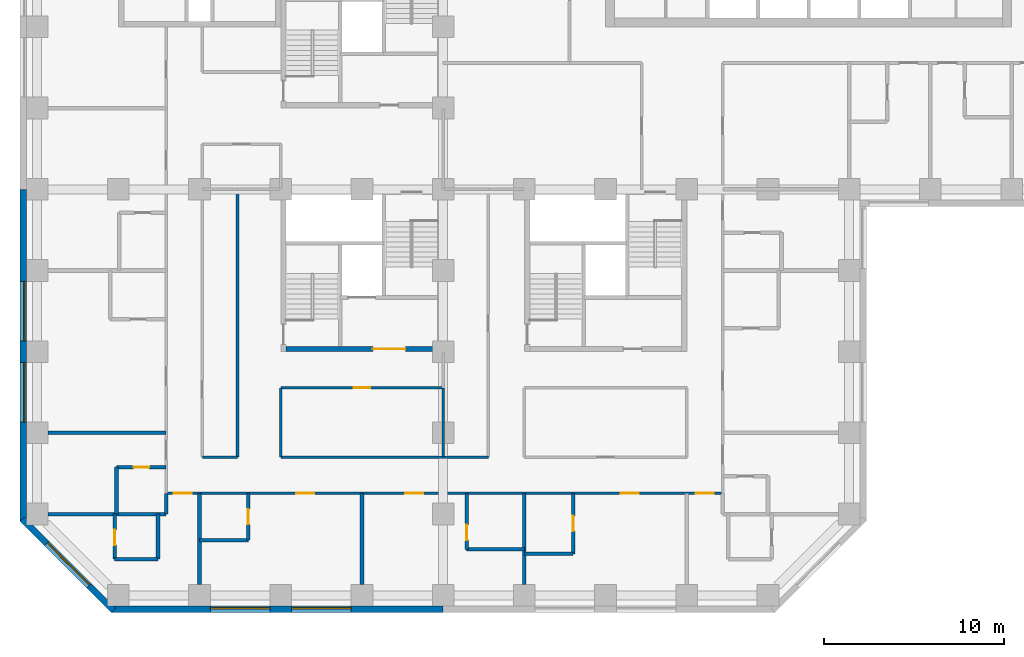
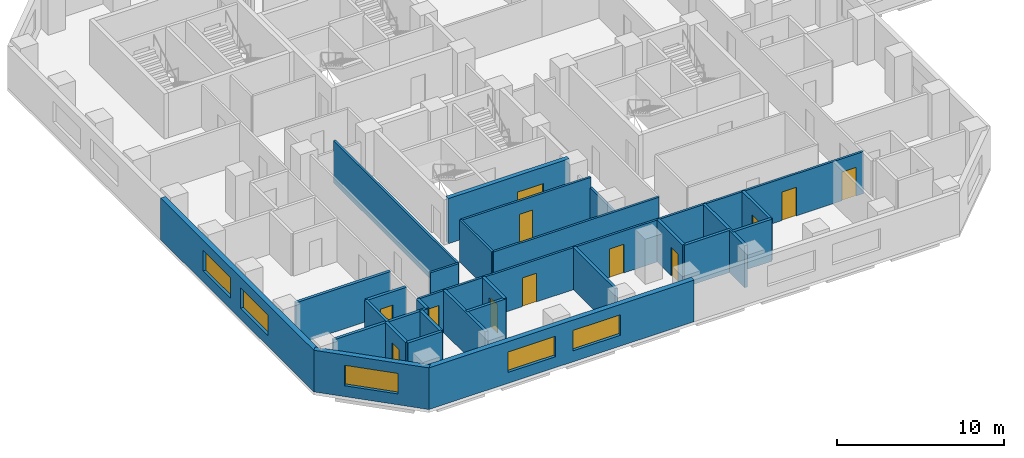
# One storey, part 2 of 12: 28 walls, 12 doors, 5 windows, 17 openings.
"""IFC4 building model written with IfcOpenShell, lengths in metres."""

import ifcopenshell
import ifcopenshell.guid

model = None  # the IFC model being written
_history = None  # IfcOwnerHistory: only IFC2X3 demands one
_inside = {}  # id of a spatial element -> (the spatial element, [elements in it])
_under = {}  # id of a project, library or spatial element -> (it, [spatial elements below it])
_declared = {}  # id of a project -> (the project, [libraries it declares])
_typed = {}  # id of a type object -> (the type object, [elements of that type])
_made_of = {}  # id of a material, layer set ... -> (it, [elements and type objects made of it])


def new_model(schema):
    """Start an empty IFC model of exactly this schema.

    Asked for "IFC4X3", IfcOpenShell would pick the latest addendum, in which some entities
    have other attributes; the version numbers below select the first issue.
    IFC2X3 requires an IfcOwnerHistory on every rooted entity: one is made here for all.
    """
    global model, _history
    if schema == "IFC4X3":
        model = ifcopenshell.file(schema_version=(4, 3, 0, 0))
    else:
        model = ifcopenshell.file(schema=schema)
    _inside.clear()
    _under.clear()
    _declared.clear()
    _typed.clear()
    _made_of.clear()
    _history = None
    if model.schema == "IFC2X3":
        org = make("IfcOrganization", Name="unknown")
        user = make(
            "IfcPersonAndOrganization",
            ThePerson=make("IfcPerson", FamilyName="unknown"),
            TheOrganization=org,
        )
        app = make(
            "IfcApplication",
            ApplicationDeveloper=org,
            Version="unknown",
            ApplicationFullName="unknown",
            ApplicationIdentifier="unknown",
        )
        _history = make(
            "IfcOwnerHistory",
            OwningUser=user,
            OwningApplication=app,
            ChangeAction="ADDED",
            CreationDate=0,
        )
    return model


def make(cls, **values):
    """One entity of the class cls with the attributes given. An attribute that is None is left unset."""
    return model.create_entity(
        cls, **{name: value for name, value in values.items() if value is not None}
    )


def rooted(cls, **values):
    """An entity with a GlobalId (a new one), such as an element, a storey or a relation."""
    return make(cls, GlobalId=ifcopenshell.guid.new(), OwnerHistory=_history, **values)


def si_unit(unit_type, name, prefix=None):
    """IfcSIUnit, for example si_unit("LENGTHUNIT", "METRE", prefix="MILLI")."""
    return make("IfcSIUnit", UnitType=unit_type, Prefix=prefix, Name=name)


def assignment(units):
    """IfcUnitAssignment: the units of a project."""
    return None if units is None else make("IfcUnitAssignment", Units=units)


def point(xyz):
    """IfcCartesianPoint."""
    return None if xyz is None else make("IfcCartesianPoint", Coordinates=xyz)


def direction(xyz):
    """IfcDirection."""
    return None if xyz is None else make("IfcDirection", DirectionRatios=xyz)


def frame(location, z_axis=None, x_axis=None):
    """IfcAxis2Placement3D, a coordinate frame: its origin and axes. An axis left out is left unset."""
    return make(
        "IfcAxis2Placement3D",
        Location=point(location),
        Axis=direction(z_axis),
        RefDirection=direction(x_axis),
    )


def frame_2d(location, x_axis=None):
    """IfcAxis2Placement2D, a coordinate frame in the plane: its origin and x axis."""
    return make(
        "IfcAxis2Placement2D", Location=point(location), RefDirection=direction(x_axis)
    )


def origin():
    """The frame at (0, 0, 0) with its axes left unset."""
    return frame((0.0, 0.0, 0.0))


def place(relative_to, where):
    """IfcLocalPlacement: puts the frame where relative to a parent placement (None: the world)."""
    return make(
        "IfcLocalPlacement", PlacementRelTo=relative_to, RelativePlacement=where
    )


def context(
    kind, dimensions, precision=None, world=None, true_north=None, identifier=None
):
    """IfcGeometricRepresentationContext, for example the 3D "Model" context."""
    return make(
        "IfcGeometricRepresentationContext",
        ContextIdentifier=identifier,
        ContextType=kind,
        CoordinateSpaceDimension=dimensions,
        Precision=precision,
        WorldCoordinateSystem=world,
        TrueNorth=true_north,
    )


def subcontext(parent, identifier, kind, view, scale=None):
    """IfcGeometricRepresentationSubContext, for example "Body" below "Model"."""
    return make(
        "IfcGeometricRepresentationSubContext",
        ContextIdentifier=identifier,
        ContextType=kind,
        ParentContext=parent,
        TargetScale=scale,
        TargetView=view,
    )


def project(units=None, contexts=None):
    """IfcProject with its units and contexts."""
    return rooted(
        "IfcProject",
        Name="project",
        RepresentationContexts=contexts,
        UnitsInContext=assignment(units),
    )


def spatial(cls, under=None, at=None, **own):
    """A site, building, storey or space (cls), placed at a placement, below another one or the project."""
    s = rooted(cls, ObjectPlacement=at, **own)
    if under is not None:
        _under.setdefault(under.id(), (under, []))[1].append(s)
    return s


def profile(cls, at=None, kind="AREA", **sizes):
    """A parametric profile (cls). Its sizes go by their IFC names, for example OverallWidth=200.0."""
    return make(cls, ProfileType=kind, Position=at, **sizes)


def rectangle(**sizes):
    """IfcRectangleProfileDef."""
    return profile("IfcRectangleProfileDef", **sizes)


def extrude(swept, where, along, depth):
    """IfcExtrudedAreaSolid: the profile swept, set in the frame where, extruded along a direction by depth."""
    return make(
        "IfcExtrudedAreaSolid",
        SweptArea=swept,
        Position=where,
        ExtrudedDirection=direction(along),
        Depth=depth,
    )


def shape(context_of_items, identifier, shape_type, items):
    """IfcShapeRepresentation: the items that make up one representation, for example the "Body"."""
    return make(
        "IfcShapeRepresentation",
        ContextOfItems=context_of_items,
        RepresentationIdentifier=identifier,
        RepresentationType=shape_type,
        Items=items,
    )


def material(Name=None, Category=None):
    """IfcMaterial."""
    return make("IfcMaterial", Name=Name, Category=Category)


def layer(
    of_material, thickness, ventilated=None, Name=None, Category=None, Priority=None
):
    """IfcMaterialLayer: one layer of a wall or slab, of a material (None: an air gap)."""
    return make(
        "IfcMaterialLayer",
        Material=of_material,
        LayerThickness=thickness,
        IsVentilated=ventilated,
        Name=Name,
        Category=Category,
        Priority=Priority,
    )


def layer_set(layers, Name=None):
    """IfcMaterialLayerSet."""
    return make("IfcMaterialLayerSet", MaterialLayers=layers, LayerSetName=Name)


def constituent(of_material, Name=None, Category=None, fraction=None):
    """IfcMaterialConstituent: one of the materials an element consists of."""
    return make(
        "IfcMaterialConstituent",
        Name=Name,
        Material=of_material,
        Fraction=fraction,
        Category=Category,
    )


def constituent_set(constituents=None, Name=None):
    """IfcMaterialConstituentSet."""
    return make(
        "IfcMaterialConstituentSet", Name=Name, MaterialConstituents=constituents
    )


def made_of(thing, what):
    """Note that an element or type object is made of a material, layer set ...; save() writes the relation."""
    if what is not None:
        _made_of.setdefault(what.id(), (what, []))[1].append(thing)
    return thing


def type_object(cls, material=None, **own):
    """A type object (cls), such as IfcWallType, which elements share."""
    return made_of(rooted(cls, **own), material)


def element(
    cls,
    number,
    at=None,
    inside=None,
    cuts=None,
    type_object=None,
    material=None,
    context=None,
    identifier="Body",
    shape_type=None,
    held_by="IfcProductDefinitionShape",
    body=None,
    shapes=None,
    **own,
):
    """One element of the class cls, such as IfcWall. Its Tag is "e" and its number.

    at: its placement. inside: the storey or other place that contains it. cuts: it is an
    opening in that element (IfcRelVoidsElement). A single representation is given by context,
    identifier, shape_type and body (its items); several are given by shapes. held_by: the class
    of the entity that holds the representations. save() writes the other relations.
    """
    e = rooted(cls, Tag="e%d" % number, ObjectPlacement=at, **own)
    if body is not None:
        shapes = [shape(context, identifier, shape_type, body)]
    if shapes is not None:
        e.Representation = make(held_by, Representations=shapes)
    if inside is not None:
        _inside.setdefault(inside.id(), (inside, []))[1].append(e)
    if cuts is not None:
        rooted(
            "IfcRelVoidsElement", RelatingBuildingElement=cuts, RelatedOpeningElement=e
        )
    if type_object is not None:
        _typed.setdefault(type_object.id(), (type_object, []))[1].append(e)
    return made_of(e, material)


def fill(opening, filler):
    """IfcRelFillsElement: the door or window that sits in an opening."""
    return rooted(
        "IfcRelFillsElement",
        RelatingOpeningElement=opening,
        RelatedBuildingElement=filler,
    )


def aggregate(whole, parts):
    """IfcRelAggregates: a whole, such as a stair, and the parts it consists of."""
    return rooted("IfcRelAggregates", RelatingObject=whole, RelatedObjects=parts)


def save(model, path):
    """Write the relations noted so far, then the file.

    IfcRelAggregates (storeys below a building ...), IfcRelContainedInSpatialStructure (elements
    in a storey), IfcRelDefinesByType, IfcRelAssociatesMaterial and IfcRelDeclares: one each for
    every whole, place, type object, material and project.
    """
    for whole, parts in _under.values():
        aggregate(whole, parts)
    for where, things in _inside.values():
        rooted(
            "IfcRelContainedInSpatialStructure",
            RelatedElements=things,
            RelatingStructure=where,
        )
    for kind, things in _typed.values():
        rooted("IfcRelDefinesByType", RelatedObjects=things, RelatingType=kind)
    for what, things in _made_of.values():
        rooted("IfcRelAssociatesMaterial", RelatedObjects=things, RelatingMaterial=what)
    for by, libraries in _declared.values():
        rooted("IfcRelDeclares", RelatingContext=by, RelatedDefinitions=libraries)
    model.write(path)


model = new_model("IFC4")

# Units and contexts
model_context = context("Model", 3, precision=1e-05, world=origin(), true_north=direction((0.0, 1.0)))
body_context = subcontext(model_context, "Body", "Model", "MODEL_VIEW")
ifc_project = project(units=[si_unit("LENGTHUNIT", "METRE"), si_unit("AREAUNIT", "SQUARE_METRE"), si_unit("VOLUMEUNIT", "CUBIC_METRE"), si_unit("PLANEANGLEUNIT", "RADIAN"), si_unit("MASSUNIT", "GRAM", prefix="KILO")], contexts=[model_context])

# Site, building, storey
site_placement = place(None, origin())
site = spatial("IfcSite", under=ifc_project, at=site_placement, CompositionType="ELEMENT")
building_placement = place(site_placement, origin())
building = spatial("IfcBuilding", under=site, at=building_placement, Name="Quoin Convention Tower", CompositionType="ELEMENT")
storey_placement = place(building_placement, frame((0.0, 0.0, 42.89990234375)))
storey = spatial("IfcBuildingStorey", under=building, at=storey_placement, Name="L10", CompositionType="ELEMENT", Elevation=42.89990234375)

# Wall, opening, window
ifc_material_1 = material(Name="Brick masonry", Category="masonry")
ifc_layer_1 = layer(ifc_material_1, 0.35009765625)
ifc_layer_set_1 = layer_set([ifc_layer_1], Name="Brick masonry")
wall_type_1 = type_object("IfcWallType", Name="Brick facade wall", PredefinedType="STANDARD", material=ifc_layer_set_1)
wall_1_placement = place(storey_placement, frame((12.673583984375, 22.230224609375, 0.0), z_axis=(0.0, 0.0, 1.0), x_axis=(0.707106781187, -0.707106781187, 0.0)))
wall_1 = element("IfcWall", 1, at=wall_1_placement, inside=storey, type_object=wall_type_1, Name="fw-L10-13500_22500", PredefinedType="STANDARD", context=body_context, shape_type="SweptSolid", body=[
    extrude(rectangle(XDim=7.151123046875, YDim=0.35009765625, at=frame_2d((3.57568359375, 0.0))), origin(), (0.0, 0.0, 1.0), 3.05517578125),
])
opening_1_placement = place(wall_1_placement, frame((1.925537109375, 0.0, 0.800048828125)))
opening_1 = element("IfcOpeningElement", 2, at=opening_1_placement, cuts=wall_1, Name="Opening W-01", PredefinedType="OPENING", context=body_context, shape_type="SweptSolid", body=[
    extrude(rectangle(XDim=3.300048828125, YDim=1.5, at=frame_2d((1.64990234375, 0.75))), frame((0.0, 0.18505859375, 0.0), z_axis=(0.0, -1.0, 0.0), x_axis=(1.0, 0.0, 0.0)), (0.0, 0.0, 1.0), 0.3701171875),
])
ifc_material_2 = material(Name="Aluminium", Category="aluminium")
ifc_constituent_1 = constituent(ifc_material_2, Name="Frame")
ifc_material_3 = material(Name="Insulated glass", Category="glass")
ifc_constituent_2 = constituent(ifc_material_3, Name="Glazing")
ifc_constituent_set = constituent_set(constituents=[ifc_constituent_1, ifc_constituent_2], Name="Aluminium")
window_type = type_object("IfcWindowType", Name="Hotel strip window", PartitioningType="DOUBLE_PANEL_VERTICAL", PredefinedType="WINDOW", material=ifc_constituent_set)
window_1_placement = place(opening_1_placement, origin())
window_1 = element("IfcWindow", 3, at=window_1_placement, inside=storey, type_object=window_type, Name="win-L10-15202_19702", OverallHeight=1.5, OverallWidth=3.300048828125, PartitioningType="SINGLE_PANEL", PredefinedType="WINDOW", context=body_context, shape_type="SweptSolid", body=[
    extrude(rectangle(XDim=3.300048828125, YDim=1.5, at=frame_2d((1.64990234375, 0.75))), frame((0.0, 0.0849609375, 0.0), z_axis=(0.0, -1.0, 0.0), x_axis=(1.0, 0.0, 0.0)), (0.0, 0.0, 1.0), 0.06005859375),
])
fill(opening_1, window_1)

# Wall, openings, windows
wall_2_placement = place(storey_placement, frame((17.6064453125, 17.22509765625, 0.0), z_axis=(0.0, 0.0, 1.0), x_axis=(1.0, 0.0, 0.0)))
wall_2 = element("IfcWall", 4, at=wall_2_placement, inside=storey, type_object=wall_type_1, Name="fw-L10-18000_18000", PredefinedType="STANDARD", context=body_context, shape_type="SweptSolid", body=[
    extrude(rectangle(XDim=18.3935546875, YDim=0.35009765625, at=frame_2d((9.19677734375, 0.0))), origin(), (0.0, 0.0, 1.0), 3.05517578125),
])
opening_2_placement = place(wall_2_placement, frame((5.493408203125, 0.0, 0.800048828125)))
opening_2 = element("IfcOpeningElement", 5, at=opening_2_placement, cuts=wall_2, Name="Opening W-01", PredefinedType="OPENING", context=body_context, shape_type="SweptSolid", body=[
    extrude(rectangle(XDim=3.300048828125, YDim=1.5, at=frame_2d((1.64990234375, 0.75))), frame((0.0, 0.18505859375, 0.0), z_axis=(0.0, -1.0, 0.0), x_axis=(1.0, 0.0, 0.0)), (0.0, 0.0, 1.0), 0.3701171875),
])
opening_3_placement = place(wall_2_placement, frame((9.993408203125, 0.0, 0.800048828125)))
opening_3 = element("IfcOpeningElement", 6, at=opening_3_placement, cuts=wall_2, Name="Opening W-01", PredefinedType="OPENING", context=body_context, shape_type="SweptSolid", body=[
    extrude(rectangle(XDim=3.300048828125, YDim=1.5, at=frame_2d((1.64990234375, 0.75))), frame((0.0, 0.18505859375, 0.0), z_axis=(0.0, -1.0, 0.0), x_axis=(1.0, 0.0, 0.0)), (0.0, 0.0, 1.0), 0.3701171875),
])
window_2_placement = place(opening_2_placement, origin())
window_2 = element("IfcWindow", 7, at=window_2_placement, inside=storey, type_object=window_type, Name="win-L10-24750_17225", OverallHeight=1.5, OverallWidth=3.300048828125, PartitioningType="SINGLE_PANEL", PredefinedType="WINDOW", context=body_context, shape_type="SweptSolid", body=[
    extrude(rectangle(XDim=3.300048828125, YDim=1.5, at=frame_2d((1.64990234375, 0.75))), frame((0.0, 0.0849609375, 0.0), z_axis=(0.0, -1.0, 0.0), x_axis=(1.0, 0.0, 0.0)), (0.0, 0.0, 1.0), 0.06005859375),
])
fill(opening_2, window_2)
window_3_placement = place(opening_3_placement, origin())
window_3 = element("IfcWindow", 8, at=window_3_placement, inside=storey, type_object=window_type, Name="win-L10-29250_17225", OverallHeight=1.5, OverallWidth=3.300048828125, PartitioningType="SINGLE_PANEL", PredefinedType="WINDOW", context=body_context, shape_type="SweptSolid", body=[
    extrude(rectangle(XDim=3.300048828125, YDim=1.5, at=frame_2d((1.64990234375, 0.75))), frame((0.0, 0.0849609375, 0.0), z_axis=(0.0, -1.0, 0.0), x_axis=(1.0, 0.0, 0.0)), (0.0, 0.0, 1.0), 0.06005859375),
])
fill(opening_3, window_3)

wall_3_placement = place(storey_placement, frame((12.72509765625, 40.5, 0.0), z_axis=(0.0, 0.0, 1.0), x_axis=(0.0, -1.0, 0.0)))
wall_3 = element("IfcWall", 9, at=wall_3_placement, inside=storey, type_object=wall_type_1, Name="fw-L10-13500_40500", PredefinedType="STANDARD", context=body_context, shape_type="SweptSolid", body=[
    extrude(rectangle(XDim=18.3935546875, YDim=0.35009765625, at=frame_2d((9.19677734375, 0.0))), origin(), (0.0, 0.0, 1.0), 3.05517578125),
])
opening_4_placement = place(wall_3_placement, frame((5.10009765625, 0.0, 0.800048828125)))
opening_4 = element("IfcOpeningElement", 10, at=opening_4_placement, cuts=wall_3, Name="Opening W-01", PredefinedType="OPENING", context=body_context, shape_type="SweptSolid", body=[
    extrude(rectangle(XDim=3.300048828125, YDim=1.5, at=frame_2d((1.64990234375, 0.75))), frame((0.0, 0.18505859375, 0.0), z_axis=(0.0, -1.0, 0.0), x_axis=(1.0, 0.0, 0.0)), (0.0, 0.0, 1.0), 0.3701171875),
])
opening_5_placement = place(wall_3_placement, frame((9.60009765625, 0.0, 0.800048828125)))
opening_5 = element("IfcOpeningElement", 11, at=opening_5_placement, cuts=wall_3, Name="Opening W-01", PredefinedType="OPENING", context=body_context, shape_type="SweptSolid", body=[
    extrude(rectangle(XDim=3.300048828125, YDim=1.5, at=frame_2d((1.64990234375, 0.75))), frame((0.0, 0.18505859375, 0.0), z_axis=(0.0, -1.0, 0.0), x_axis=(1.0, 0.0, 0.0)), (0.0, 0.0, 1.0), 0.3701171875),
])
window_4_placement = place(opening_4_placement, origin())
window_4 = element("IfcWindow", 12, at=window_4_placement, inside=storey, type_object=window_type, Name="win-L10-12725_33750", OverallHeight=1.5, OverallWidth=3.300048828125, PartitioningType="SINGLE_PANEL", PredefinedType="WINDOW", context=body_context, shape_type="SweptSolid", body=[
    extrude(rectangle(XDim=3.300048828125, YDim=1.5, at=frame_2d((1.64990234375, 0.75))), frame((0.0, 0.0849609375, 0.0), z_axis=(0.0, -1.0, 0.0), x_axis=(1.0, 0.0, 0.0)), (0.0, 0.0, 1.0), 0.06005859375),
])
fill(opening_4, window_4)
window_5_placement = place(opening_5_placement, origin())
window_5 = element("IfcWindow", 13, at=window_5_placement, inside=storey, type_object=window_type, Name="win-L10-12725_29250", OverallHeight=1.5, OverallWidth=3.300048828125, PartitioningType="SINGLE_PANEL", PredefinedType="WINDOW", context=body_context, shape_type="SweptSolid", body=[
    extrude(rectangle(XDim=3.300048828125, YDim=1.5, at=frame_2d((1.64990234375, 0.75))), frame((0.0, 0.0849609375, 0.0), z_axis=(0.0, -1.0, 0.0), x_axis=(1.0, 0.0, 0.0)), (0.0, 0.0, 1.0), 0.06005859375),
])
fill(opening_5, window_5)

# Wall, opening, door
ifc_material_4 = material(Name="Concrete C80", Category="concrete")
ifc_layer_2 = layer(ifc_material_4, 0.300048828125)
ifc_layer_set_2 = layer_set([ifc_layer_2], Name="Concrete C80")
wall_type_2 = type_object("IfcWallType", Name="RC CORE WALL 300 C80", PredefinedType="SHEAR", material=ifc_layer_set_2)
wall_4_placement = place(storey_placement, frame((27.300048828125, 31.64990234375, 0.0), z_axis=(0.0, 0.0, 1.0), x_axis=(1.0, 0.0, 0.0)))
wall_4 = element("IfcWall", 14, at=wall_4_placement, inside=storey, type_object=wall_type_2, Name="cwl-P4-L10-S", PredefinedType="SHEAR", context=body_context, shape_type="SweptSolid", body=[
    extrude(rectangle(XDim=8.39990234375, YDim=0.300048828125, at=frame_2d((4.199951171875, 0.0))), origin(), (0.0, 0.0, 1.0), 3.300048828125),
])
opening_6_placement = place(wall_4_placement, frame((4.800048828125, 0.0, 0.0)))
opening_6 = element("IfcOpeningElement", 15, at=opening_6_placement, cuts=wall_4, Name="Opening DCV4-44", PredefinedType="OPENING", context=body_context, shape_type="SweptSolid", body=[
    extrude(rectangle(XDim=1.800048828125, YDim=2.10009765625, at=frame_2d((0.89990234375, 1.050048828125))), frame((0.0, 0.159912109375, 0.0), z_axis=(0.0, -1.0, 0.0), x_axis=(1.0, 0.0, 0.0)), (0.0, 0.0, 1.0), 0.320068359375),
])
ifc_material_5 = material(Name="Steel door leaf", Category="steel")
door_type_1 = type_object("IfcDoorType", Name="Goods lobby door 1800 x 2100", OperationType="SINGLE_SWING_LEFT", PredefinedType="DOOR", material=ifc_material_5)
door_1_placement = place(opening_6_placement, origin())
door_1 = element("IfcDoor", 16, at=door_1_placement, inside=storey, type_object=door_type_1, Name="cd-P4-L10-R2-S", OperationType="SINGLE_SWING_LEFT", OverallHeight=2.10009765625, OverallWidth=1.800048828125, PredefinedType="DOOR", context=body_context, shape_type="SweptSolid", body=[
    extrude(rectangle(XDim=1.800048828125, YDim=2.10009765625, at=frame_2d((0.89990234375, 1.050048828125))), frame((0.0, 0.02490234375, 0.0), z_axis=(0.0, -1.0, 0.0), x_axis=(1.0, 0.0, 0.0)), (0.0, 0.0, 1.0), 0.050048828125),
])
fill(opening_6, door_1)

# Walls
ifc_material_6 = material(Name="Concrete C50", Category="concrete")
ifc_layer_3 = layer(ifc_material_6, 0.199951171875)
ifc_layer_set_3 = layer_set([ifc_layer_3], Name="Concrete C50")
wall_type_3 = type_object("IfcWallType", Name="RC party wall", PredefinedType="SOLIDWALL", material=ifc_layer_set_3)
for number, where, z_axis, x_axis, name in (
    (17, (22.5, 18.60009765625, 0.0), (0.0, 0.0, 1.0), (0.0, 1.0, 0.0), "pw-L10-037"),
    (18, (31.5, 18.60009765625, 0.0), (0.0, 0.0, 1.0), (0.0, 1.0, 0.0), "pw-L10-038"),
    (19, (40.5, 18.60009765625, 0.0), (0.0, 0.0, 1.0), (0.0, 1.0, 0.0), "pw-L10-039"),
):
    element("IfcWall", number, at=place(storey_placement, frame(where, z_axis=z_axis, x_axis=x_axis)), inside=storey, type_object=wall_type_3, Name=name, PredefinedType="SOLIDWALL", context=body_context, shape_type="SweptSolid", body=[
        extrude(rectangle(XDim=5.0498046875, YDim=0.199951171875, at=frame_2d((2.52490234375, 0.0))), origin(), (0.0, 0.0, 1.0), 3.080078125),
    ])
wall_5_placement = place(storey_placement, frame((17.800048828125, 20.0, 0.0), z_axis=(0.0, 0.0, 1.0), x_axis=(1.0, 0.0, 0.0)))
element("IfcWall", 20, at=wall_5_placement, inside=storey, type_object=wall_type_3, Name="pw-L10-041", PredefinedType="SOLIDWALL", context=body_context, shape_type="SweptSolid", body=[
    extrude(rectangle(XDim=2.39990234375, YDim=0.199951171875, at=frame_2d((1.199951171875, 0.0))), origin(), (0.0, 0.0, 1.0), 3.080078125),
])

# Wall, opening, door
wall_6_placement = place(storey_placement, frame((17.800048828125, 20.0, 0.0), z_axis=(0.0, 0.0, 1.0), x_axis=(0.0, 1.0, 0.0)))
wall_6 = element("IfcWall", 21, at=wall_6_placement, inside=storey, type_object=wall_type_3, Name="pw-L10-042", PredefinedType="SOLIDWALL", context=body_context, shape_type="SweptSolid", body=[
    extrude(rectangle(XDim=2.5, YDim=0.199951171875, at=frame_2d((1.25, 0.0))), origin(), (0.0, 0.0, 1.0), 3.080078125),
])
opening_7_placement = place(wall_6_placement, frame((0.77490234375, 0.0, 0.0)))
opening_7 = element("IfcOpeningElement", 22, at=opening_7_placement, cuts=wall_6, Name="Opening DHOTEL-F-39", PredefinedType="OPENING", context=body_context, shape_type="SweptSolid", body=[
    extrude(rectangle(XDim=0.85009765625, YDim=2.10009765625, at=frame_2d((0.425048828125, 1.050048828125))), frame((0.0, 0.10986328125, 0.0), z_axis=(0.0, -1.0, 0.0), x_axis=(1.0, 0.0, 0.0)), (0.0, 0.0, 1.0), 0.219970703125),
])
door_type_2 = type_object("IfcDoorType", Name="Bathroom door", OperationType="SINGLE_SWING_LEFT", PredefinedType="DOOR", material=ifc_material_5)
door_2_placement = place(opening_7_placement, origin())
door_2 = element("IfcDoor", 23, at=door_2_placement, inside=storey, type_object=door_type_2, Name="dr-L10-056", OperationType="SINGLE_SWING_RIGHT", OverallHeight=2.10009765625, OverallWidth=0.85009765625, PredefinedType="DOOR", context=body_context, shape_type="SweptSolid", body=[
    extrude(rectangle(XDim=0.85009765625, YDim=2.10009765625, at=frame_2d((0.425048828125, 1.050048828125))), frame((0.0, 0.02490234375, 0.0), z_axis=(0.0, -1.0, 0.0), x_axis=(1.0, 0.0, 0.0)), (0.0, 0.0, 1.0), 0.050048828125),
])
fill(opening_7, door_2)

# Walls
wall_7_placement = place(storey_placement, frame((20.199951171875, 20.0, 0.0), z_axis=(0.0, 0.0, 1.0), x_axis=(0.0, 1.0, 0.0)))
element("IfcWall", 24, at=wall_7_placement, inside=storey, type_object=wall_type_3, Name="pw-L10-043", PredefinedType="SOLIDWALL", context=body_context, shape_type="SweptSolid", body=[
    extrude(rectangle(XDim=2.5, YDim=0.199951171875, at=frame_2d((1.25, 0.0))), origin(), (0.0, 0.0, 1.0), 3.080078125),
])
wall_8_placement = place(storey_placement, frame((40.5, 20.300048828125, 0.0), z_axis=(0.0, 0.0, 1.0), x_axis=(1.0, 0.0, 0.0)))
element("IfcWall", 25, at=wall_8_placement, inside=storey, type_object=wall_type_3, Name="pw-L10-047", PredefinedType="SOLIDWALL", context=body_context, shape_type="SweptSolid", body=[
    extrude(rectangle(XDim=2.699951171875, YDim=0.199951171875, at=frame_2d((1.35009765625, 0.0))), origin(), (0.0, 0.0, 1.0), 3.080078125),
])

# Wall, opening, door
wall_9_placement = place(storey_placement, frame((43.199951171875, 20.300048828125, 0.0), z_axis=(0.0, 0.0, 1.0), x_axis=(0.0, 1.0, 0.0)))
wall_9 = element("IfcWall", 26, at=wall_9_placement, inside=storey, type_object=wall_type_3, Name="pw-L10-048", PredefinedType="SOLIDWALL", context=body_context, shape_type="SweptSolid", body=[
    extrude(rectangle(XDim=3.349853515625, YDim=0.199951171875, at=frame_2d((1.6748046875, 0.0))), origin(), (0.0, 0.0, 1.0), 3.080078125),
])
opening_8_placement = place(wall_9_placement, frame((1.25, 0.0, 0.0)))
opening_8 = element("IfcOpeningElement", 27, at=opening_8_placement, cuts=wall_9, Name="Opening DHOTEL-F-41", PredefinedType="OPENING", context=body_context, shape_type="SweptSolid", body=[
    extrude(rectangle(XDim=0.85009765625, YDim=2.10009765625, at=frame_2d((0.425048828125, 1.050048828125))), frame((0.0, 0.10986328125, 0.0), z_axis=(0.0, -1.0, 0.0), x_axis=(1.0, 0.0, 0.0)), (0.0, 0.0, 1.0), 0.219970703125),
])
door_3_placement = place(opening_8_placement, frame((0.85009765625, 0.0, 0.0), z_axis=(0.0, 0.0, 1.0), x_axis=(-1.0, 0.0, 0.0)))
door_3 = element("IfcDoor", 28, at=door_3_placement, inside=storey, type_object=door_type_2, Name="dr-L10-006", OperationType="SINGLE_SWING_LEFT", OverallHeight=2.10009765625, OverallWidth=0.85009765625, PredefinedType="DOOR", context=body_context, shape_type="SweptSolid", body=[
    extrude(rectangle(XDim=0.85009765625, YDim=2.10009765625, at=frame_2d((0.425048828125, 1.050048828125))), frame((0.0, 0.02490234375, 0.0), z_axis=(0.0, -1.0, 0.0), x_axis=(1.0, 0.0, 0.0)), (0.0, 0.0, 1.0), 0.050048828125),
])
fill(opening_8, door_3)

# Wall
wall_10_placement = place(storey_placement, frame((37.300048828125, 20.550048828125, 0.0), z_axis=(0.0, 0.0, 1.0), x_axis=(1.0, 0.0, 0.0)))
element("IfcWall", 29, at=wall_10_placement, inside=storey, type_object=wall_type_3, Name="pw-L10-049", PredefinedType="SOLIDWALL", context=body_context, shape_type="SweptSolid", body=[
    extrude(rectangle(XDim=3.199951171875, YDim=0.199951171875, at=frame_2d((1.60009765625, 0.0))), origin(), (0.0, 0.0, 1.0), 3.080078125),
])

# Wall, opening, door
wall_11_placement = place(storey_placement, frame((37.300048828125, 20.550048828125, 0.0), z_axis=(0.0, 0.0, 1.0), x_axis=(0.0, 1.0, 0.0)))
wall_11 = element("IfcWall", 30, at=wall_11_placement, inside=storey, type_object=wall_type_3, Name="pw-L10-050", PredefinedType="SOLIDWALL", context=body_context, shape_type="SweptSolid", body=[
    extrude(rectangle(XDim=3.099853515625, YDim=0.199951171875, at=frame_2d((1.5498046875, 0.0))), origin(), (0.0, 0.0, 1.0), 3.080078125),
])
opening_9_placement = place(wall_11_placement, frame((0.5, 0.0, 0.0)))
opening_9 = element("IfcOpeningElement", 31, at=opening_9_placement, cuts=wall_11, Name="Opening DHOTEL-F-42", PredefinedType="OPENING", context=body_context, shape_type="SweptSolid", body=[
    extrude(rectangle(XDim=0.85009765625, YDim=2.10009765625, at=frame_2d((0.425048828125, 1.050048828125))), frame((0.0, 0.10986328125, 0.0), z_axis=(0.0, -1.0, 0.0), x_axis=(1.0, 0.0, 0.0)), (0.0, 0.0, 1.0), 0.219970703125),
])
door_4_placement = place(opening_9_placement, origin())
door_4 = element("IfcDoor", 32, at=door_4_placement, inside=storey, type_object=door_type_2, Name="dr-L10-004", OperationType="SINGLE_SWING_LEFT", OverallHeight=2.10009765625, OverallWidth=0.85009765625, PredefinedType="DOOR", context=body_context, shape_type="SweptSolid", body=[
    extrude(rectangle(XDim=0.85009765625, YDim=2.10009765625, at=frame_2d((0.425048828125, 1.050048828125))), frame((0.0, 0.02490234375, 0.0), z_axis=(0.0, -1.0, 0.0), x_axis=(1.0, 0.0, 0.0)), (0.0, 0.0, 1.0), 0.050048828125),
])
fill(opening_9, door_4)

# Wall
wall_12_placement = place(storey_placement, frame((22.5, 21.050048828125, 0.0), z_axis=(0.0, 0.0, 1.0), x_axis=(1.0, 0.0, 0.0)))
element("IfcWall", 33, at=wall_12_placement, inside=storey, type_object=wall_type_3, Name="pw-L10-051", PredefinedType="SOLIDWALL", context=body_context, shape_type="SweptSolid", body=[
    extrude(rectangle(XDim=2.699951171875, YDim=0.199951171875, at=frame_2d((1.35009765625, 0.0))), origin(), (0.0, 0.0, 1.0), 3.080078125),
])

# Wall, opening, door
wall_13_placement = place(storey_placement, frame((25.199951171875, 21.050048828125, 0.0), z_axis=(0.0, 0.0, 1.0), x_axis=(0.0, 1.0, 0.0)))
wall_13 = element("IfcWall", 34, at=wall_13_placement, inside=storey, type_object=wall_type_3, Name="pw-L10-052", PredefinedType="SOLIDWALL", context=body_context, shape_type="SweptSolid", body=[
    extrude(rectangle(XDim=2.599853515625, YDim=0.199951171875, at=frame_2d((1.2998046875, 0.0))), origin(), (0.0, 0.0, 1.0), 3.080078125),
])
opening_10_placement = place(wall_13_placement, frame((0.875, 0.0, 0.0)))
opening_10 = element("IfcOpeningElement", 35, at=opening_10_placement, cuts=wall_13, Name="Opening DHOTEL-F-43", PredefinedType="OPENING", context=body_context, shape_type="SweptSolid", body=[
    extrude(rectangle(XDim=0.85009765625, YDim=2.10009765625, at=frame_2d((0.425048828125, 1.050048828125))), frame((0.0, 0.10986328125, 0.0), z_axis=(0.0, -1.0, 0.0), x_axis=(1.0, 0.0, 0.0)), (0.0, 0.0, 1.0), 0.219970703125),
])
door_5_placement = place(opening_10_placement, frame((0.85009765625, 0.0, 0.0), z_axis=(0.0, 0.0, 1.0), x_axis=(-1.0, 0.0, 0.0)))
door_5 = element("IfcDoor", 36, at=door_5_placement, inside=storey, type_object=door_type_2, Name="dr-L10-002", OperationType="SINGLE_SWING_LEFT", OverallHeight=2.10009765625, OverallWidth=0.85009765625, PredefinedType="DOOR", context=body_context, shape_type="SweptSolid", body=[
    extrude(rectangle(XDim=0.85009765625, YDim=2.10009765625, at=frame_2d((0.425048828125, 1.050048828125))), frame((0.0, 0.02490234375, 0.0), z_axis=(0.0, -1.0, 0.0), x_axis=(1.0, 0.0, 0.0)), (0.0, 0.0, 1.0), 0.050048828125),
])
fill(opening_10, door_5)

# Walls
wall_14_placement = place(storey_placement, frame((14.10009765625, 22.5, 0.0), z_axis=(0.0, 0.0, 1.0), x_axis=(1.0, 0.0, 0.0)))
element("IfcWall", 37, at=wall_14_placement, inside=storey, type_object=wall_type_3, Name="pw-L10-053", PredefinedType="SOLIDWALL", context=body_context, shape_type="SweptSolid", body=[
    extrude(rectangle(XDim=6.5498046875, YDim=0.199951171875, at=frame_2d((3.27490234375, 0.0))), origin(), (0.0, 0.0, 1.0), 3.080078125),
])
wall_15_placement = place(storey_placement, frame((17.89990234375, 22.5, 0.0), z_axis=(0.0, 0.0, 1.0), x_axis=(0.0, 1.0, 0.0)))
element("IfcWall", 38, at=wall_15_placement, inside=storey, type_object=wall_type_3, Name="pw-L10-054", PredefinedType="SOLIDWALL", context=body_context, shape_type="SweptSolid", body=[
    extrude(rectangle(XDim=2.60009765625, YDim=0.199951171875, at=frame_2d((1.300048828125, 0.0))), origin(), (0.0, 0.0, 1.0), 3.080078125),
])
wall_16_placement = place(storey_placement, frame((20.64990234375, 22.5, 0.0), z_axis=(0.0, 0.0, 1.0), x_axis=(0.0, 1.0, 0.0)))
element("IfcWall", 39, at=wall_16_placement, inside=storey, type_object=wall_type_3, Name="pw-L10-055", PredefinedType="SOLIDWALL", context=body_context, shape_type="SweptSolid", body=[
    extrude(rectangle(XDim=1.14990234375, YDim=0.199951171875, at=frame_2d((0.574951171875, 0.0))), origin(), (0.0, 0.0, 1.0), 3.080078125),
])

# Wall, opening, door
wall_17_placement = place(storey_placement, frame((17.89990234375, 25.10009765625, 0.0), z_axis=(0.0, 0.0, 1.0), x_axis=(1.0, 0.0, 0.0)))
wall_17 = element("IfcWall", 40, at=wall_17_placement, inside=storey, type_object=wall_type_3, Name="pw-L10-060", PredefinedType="SOLIDWALL", context=body_context, shape_type="SweptSolid", body=[
    extrude(rectangle(XDim=2.75, YDim=0.199951171875, at=frame_2d((1.375, 0.0))), origin(), (0.0, 0.0, 1.0), 3.080078125),
])
opening_11_placement = place(wall_17_placement, frame((0.949951171875, 0.0, 0.0)))
opening_11 = element("IfcOpeningElement", 41, at=opening_11_placement, cuts=wall_17, Name="Opening DHOTEL-F-45", PredefinedType="OPENING", context=body_context, shape_type="SweptSolid", body=[
    extrude(rectangle(XDim=0.85009765625, YDim=2.10009765625, at=frame_2d((0.425048828125, 1.050048828125))), frame((0.0, 0.10986328125, 0.0), z_axis=(0.0, -1.0, 0.0), x_axis=(1.0, 0.0, 0.0)), (0.0, 0.0, 1.0), 0.219970703125),
])
door_6_placement = place(opening_11_placement, origin())
door_6 = element("IfcDoor", 42, at=door_6_placement, inside=storey, type_object=door_type_2, Name="dr-L10-008", OperationType="SINGLE_SWING_RIGHT", OverallHeight=2.10009765625, OverallWidth=0.85009765625, PredefinedType="DOOR", context=body_context, shape_type="SweptSolid", body=[
    extrude(rectangle(XDim=0.85009765625, YDim=2.10009765625, at=frame_2d((0.425048828125, 1.050048828125))), frame((0.0, 0.02490234375, 0.0), z_axis=(0.0, -1.0, 0.0), x_axis=(1.0, 0.0, 0.0)), (0.0, 0.0, 1.0), 0.050048828125),
])
fill(opening_11, door_6)

# Wall
wall_18_placement = place(storey_placement, frame((14.10009765625, 27.0, 0.0), z_axis=(0.0, 0.0, 1.0), x_axis=(1.0, 0.0, 0.0)))
element("IfcWall", 43, at=wall_18_placement, inside=storey, type_object=wall_type_3, Name="pw-L10-061", PredefinedType="SOLIDWALL", context=body_context, shape_type="SweptSolid", body=[
    extrude(rectangle(XDim=6.5498046875, YDim=0.199951171875, at=frame_2d((3.27490234375, 0.0))), origin(), (0.0, 0.0, 1.0), 3.080078125),
])

# Wall, openings, doors
ifc_material_7 = material(Name="Plasterboard")
ifc_layer_4 = layer(ifc_material_7, 0.012451171875, Name="Finish")
ifc_material_8 = material(Name="Steel stud framing", Category="steel")
ifc_layer_5 = layer(ifc_material_8, 0.125, Name="Structure")
ifc_layer_6 = layer(ifc_material_7, 0.012451171875, Name="Finish")
ifc_layer_set_4 = layer_set([ifc_layer_4, ifc_layer_5, ifc_layer_6], Name="Steel stud framing")
wall_type_4 = type_object("IfcWallType", Name="corridor partition", PredefinedType="PARTITIONING", material=ifc_layer_set_4)
wall_19_placement = place(storey_placement, frame((20.64990234375, 23.64990234375, 0.0), z_axis=(0.0, 0.0, 1.0), x_axis=(1.0, 0.0, 0.0)))
wall_19 = element("IfcWall", 44, at=wall_19_placement, inside=storey, type_object=wall_type_4, Name="pw-L10-003", PredefinedType="PARTITIONING", context=body_context, shape_type="SweptSolid", body=[
    extrude(rectangle(XDim=30.85009765625, YDim=0.14990234375, at=frame_2d((15.425048828125, 0.0))), origin(), (0.0, 0.0, 1.0), 3.080078125),
])
opening_12_placement = place(wall_19_placement, frame((7.199951171875, 0.0, 0.0)))
opening_12 = element("IfcOpeningElement", 45, at=opening_12_placement, cuts=wall_19, Name="Opening DHOTEL-F-02", PredefinedType="OPENING", context=body_context, shape_type="SweptSolid", body=[
    extrude(rectangle(XDim=1.0, YDim=2.10009765625, at=frame_2d((0.5, 1.050048828125))), frame((0.0, 0.0849609375, 0.0), z_axis=(0.0, -1.0, 0.0), x_axis=(1.0, 0.0, 0.0)), (0.0, 0.0, 1.0), 0.169921875),
])
opening_13_placement = place(wall_19_placement, frame((13.25, 0.0, 0.0)))
opening_13 = element("IfcOpeningElement", 46, at=opening_13_placement, cuts=wall_19, Name="Opening DHOTEL-F-03", PredefinedType="OPENING", context=body_context, shape_type="SweptSolid", body=[
    extrude(rectangle(XDim=1.0, YDim=2.10009765625, at=frame_2d((0.5, 1.050048828125))), frame((0.0, 0.0849609375, 0.0), z_axis=(0.0, -1.0, 0.0), x_axis=(1.0, 0.0, 0.0)), (0.0, 0.0, 1.0), 0.169921875),
])
opening_14_placement = place(wall_19_placement, frame((25.199951171875, 0.0, 0.0)))
opening_14 = element("IfcOpeningElement", 47, at=opening_14_placement, cuts=wall_19, Name="Opening DHOTEL-F-04", PredefinedType="OPENING", context=body_context, shape_type="SweptSolid", body=[
    extrude(rectangle(XDim=1.0, YDim=2.10009765625, at=frame_2d((0.5, 1.050048828125))), frame((0.0, 0.0849609375, 0.0), z_axis=(0.0, -1.0, 0.0), x_axis=(1.0, 0.0, 0.0)), (0.0, 0.0, 1.0), 0.169921875),
])
opening_15_placement = place(wall_19_placement, frame((0.425048828125, 0.0, 0.0)))
opening_15 = element("IfcOpeningElement", 48, at=opening_15_placement, cuts=wall_19, Name="Opening DHOTEL-F-01", PredefinedType="OPENING", context=body_context, shape_type="SweptSolid", body=[
    extrude(rectangle(XDim=1.0, YDim=2.10009765625, at=frame_2d((0.5, 1.050048828125))), frame((0.0, 0.0849609375, 0.0), z_axis=(0.0, -1.0, 0.0), x_axis=(1.0, 0.0, 0.0)), (0.0, 0.0, 1.0), 0.169921875),
])
opening_16_placement = place(wall_19_placement, frame((29.35009765625, 0.0, 0.0)))
opening_16 = element("IfcOpeningElement", 49, at=opening_16_placement, cuts=wall_19, Name="Opening DHOTEL-F-05", PredefinedType="OPENING", context=body_context, shape_type="SweptSolid", body=[
    extrude(rectangle(XDim=1.0, YDim=2.10009765625, at=frame_2d((0.5, 1.050048828125))), frame((0.0, 0.0849609375, 0.0), z_axis=(0.0, -1.0, 0.0), x_axis=(1.0, 0.0, 0.0)), (0.0, 0.0, 1.0), 0.169921875),
])
door_type_3 = type_object("IfcDoorType", Name="Hotel room door", OperationType="SINGLE_SWING_LEFT", PredefinedType="DOOR", material=ifc_material_5)
door_7_placement = place(opening_12_placement, frame((1.0, 0.0, 0.0), z_axis=(0.0, 0.0, 1.0), x_axis=(-1.0, 0.0, 0.0)))
door_7 = element("IfcDoor", 50, at=door_7_placement, inside=storey, type_object=door_type_3, Name="dr-L10-001", OperationType="SINGLE_SWING_LEFT", OverallHeight=2.10009765625, OverallWidth=1.0, PredefinedType="DOOR", context=body_context, shape_type="SweptSolid", body=[
    extrude(rectangle(XDim=1.0, YDim=2.10009765625, at=frame_2d((0.5, 1.050048828125))), frame((0.0, 0.02490234375, 0.0), z_axis=(0.0, -1.0, 0.0), x_axis=(1.0, 0.0, 0.0)), (0.0, 0.0, 1.0), 0.050048828125),
])
fill(opening_12, door_7)
door_8_placement = place(opening_13_placement, frame((1.0, 0.0, 0.0), z_axis=(0.0, 0.0, 1.0), x_axis=(-1.0, 0.0, 0.0)))
door_8 = element("IfcDoor", 51, at=door_8_placement, inside=storey, type_object=door_type_3, Name="dr-L10-003", OperationType="SINGLE_SWING_LEFT", OverallHeight=2.10009765625, OverallWidth=1.0, PredefinedType="DOOR", context=body_context, shape_type="SweptSolid", body=[
    extrude(rectangle(XDim=1.0, YDim=2.10009765625, at=frame_2d((0.5, 1.050048828125))), frame((0.0, 0.02490234375, 0.0), z_axis=(0.0, -1.0, 0.0), x_axis=(1.0, 0.0, 0.0)), (0.0, 0.0, 1.0), 0.050048828125),
])
fill(opening_13, door_8)
door_9_placement = place(opening_14_placement, frame((1.0, 0.0, 0.0), z_axis=(0.0, 0.0, 1.0), x_axis=(-1.0, 0.0, 0.0)))
door_9 = element("IfcDoor", 52, at=door_9_placement, inside=storey, type_object=door_type_3, Name="dr-L10-005", OperationType="SINGLE_SWING_LEFT", OverallHeight=2.10009765625, OverallWidth=1.0, PredefinedType="DOOR", context=body_context, shape_type="SweptSolid", body=[
    extrude(rectangle(XDim=1.0, YDim=2.10009765625, at=frame_2d((0.5, 1.050048828125))), frame((0.0, 0.02490234375, 0.0), z_axis=(0.0, -1.0, 0.0), x_axis=(1.0, 0.0, 0.0)), (0.0, 0.0, 1.0), 0.050048828125),
])
fill(opening_14, door_9)
door_10_placement = place(opening_15_placement, frame((1.0, 0.0, 0.0), z_axis=(0.0, 0.0, 1.0), x_axis=(-1.0, 0.0, 0.0)))
door_10 = element("IfcDoor", 53, at=door_10_placement, inside=storey, type_object=door_type_3, Name="dr-L10-055", OperationType="SINGLE_SWING_LEFT", OverallHeight=2.10009765625, OverallWidth=1.0, PredefinedType="DOOR", context=body_context, shape_type="SweptSolid", body=[
    extrude(rectangle(XDim=1.0, YDim=2.10009765625, at=frame_2d((0.5, 1.050048828125))), frame((0.0, 0.02490234375, 0.0), z_axis=(0.0, -1.0, 0.0), x_axis=(1.0, 0.0, 0.0)), (0.0, 0.0, 1.0), 0.050048828125),
])
fill(opening_15, door_10)
door_11_placement = place(opening_16_placement, frame((1.0, 0.0, 0.0), z_axis=(0.0, 0.0, 1.0), x_axis=(-1.0, 0.0, 0.0)))
door_11 = element("IfcDoor", 54, at=door_11_placement, inside=storey, type_object=door_type_3, Name="dr-L10-057", OperationType="SINGLE_SWING_LEFT", OverallHeight=2.10009765625, OverallWidth=1.0, PredefinedType="DOOR", context=body_context, shape_type="SweptSolid", body=[
    extrude(rectangle(XDim=1.0, YDim=2.10009765625, at=frame_2d((0.5, 1.050048828125))), frame((0.0, 0.02490234375, 0.0), z_axis=(0.0, -1.0, 0.0), x_axis=(1.0, 0.0, 0.0)), (0.0, 0.0, 1.0), 0.050048828125),
])
fill(opening_16, door_11)

# Walls
wall_20_placement = place(storey_placement, frame((22.64990234375, 25.64990234375, 0.0), z_axis=(0.0, 0.0, 1.0), x_axis=(1.0, 0.0, 0.0)))
element("IfcWall", 55, at=wall_20_placement, inside=storey, type_object=wall_type_4, Name="pw-L10-006", PredefinedType="PARTITIONING", context=body_context, shape_type="SweptSolid", body=[
    extrude(rectangle(XDim=1.9501953125, YDim=0.14990234375, at=frame_2d((0.97509765625, 0.0))), origin(), (0.0, 0.0, 1.0), 3.080078125),
])
wall_21_placement = place(storey_placement, frame((24.60009765625, 25.64990234375, 0.0), z_axis=(0.0, 0.0, 1.0), x_axis=(0.0, 1.0, 0.0)))
element("IfcWall", 56, at=wall_21_placement, inside=storey, type_object=wall_type_4, Name="pw-L10-008", PredefinedType="PARTITIONING", context=body_context, shape_type="SweptSolid", body=[
    extrude(rectangle(XDim=14.85009765625, YDim=0.14990234375, at=frame_2d((7.425048828125, 0.0))), origin(), (0.0, 0.0, 1.0), 3.080078125),
])
wall_22_placement = place(storey_placement, frame((27.0, 25.64990234375, 0.0), z_axis=(0.0, 0.0, 1.0), x_axis=(1.0, 0.0, 0.0)))
element("IfcWall", 57, at=wall_22_placement, inside=storey, type_object=wall_type_4, Name="pw-L10-009", PredefinedType="PARTITIONING", context=body_context, shape_type="SweptSolid", body=[
    extrude(rectangle(XDim=11.5, YDim=0.14990234375, at=frame_2d((5.75, 0.0))), origin(), (0.0, 0.0, 1.0), 3.080078125),
])
wall_23_placement = place(storey_placement, frame((27.0, 25.64990234375, 0.0), z_axis=(0.0, 0.0, 1.0), x_axis=(0.0, 1.0, 0.0)))
element("IfcWall", 58, at=wall_23_placement, inside=storey, type_object=wall_type_4, Name="pw-L10-010", PredefinedType="PARTITIONING", context=body_context, shape_type="SweptSolid", body=[
    extrude(rectangle(XDim=3.85009765625, YDim=0.14990234375, at=frame_2d((1.925048828125, 0.0))), origin(), (0.0, 0.0, 1.0), 3.080078125),
])

# Wall, opening, door
wall_24_placement = place(storey_placement, frame((27.0, 29.5, 0.0), z_axis=(0.0, 0.0, 1.0), x_axis=(1.0, 0.0, 0.0)))
wall_24 = element("IfcWall", 59, at=wall_24_placement, inside=storey, type_object=wall_type_4, Name="pw-L10-015", PredefinedType="PARTITIONING", context=body_context, shape_type="SweptSolid", body=[
    extrude(rectangle(XDim=9.0, YDim=0.14990234375, at=frame_2d((4.5, 0.0))), origin(), (0.0, 0.0, 1.0), 3.080078125),
])
opening_17_placement = place(wall_24_placement, frame((4.050048828125, 0.0, 0.0)))
opening_17 = element("IfcOpeningElement", 60, at=opening_17_placement, cuts=wall_24, Name="Opening DHOTEL-F-17", PredefinedType="OPENING", context=body_context, shape_type="SweptSolid", body=[
    extrude(rectangle(XDim=0.89990234375, YDim=2.10009765625, at=frame_2d((0.449951171875, 1.050048828125))), frame((0.0, 0.0849609375, 0.0), z_axis=(0.0, -1.0, 0.0), x_axis=(1.0, 0.0, 0.0)), (0.0, 0.0, 1.0), 0.169921875),
])
door_type_4 = type_object("IfcDoorType", Name="Single room door", OperationType="SINGLE_SWING_RIGHT", PredefinedType="DOOR", material=ifc_material_5)
door_12_placement = place(opening_17_placement, frame((0.89990234375, 0.0, 0.0), z_axis=(0.0, 0.0, 1.0), x_axis=(-1.0, 0.0, 0.0)))
door_12 = element("IfcDoor", 61, at=door_12_placement, inside=storey, type_object=door_type_4, Name="dr-L10-068", OperationType="SINGLE_SWING_LEFT", OverallHeight=2.10009765625, OverallWidth=0.89990234375, PredefinedType="DOOR", context=body_context, shape_type="SweptSolid", body=[
    extrude(rectangle(XDim=0.89990234375, YDim=2.10009765625, at=frame_2d((0.449951171875, 1.050048828125))), frame((0.0, 0.02490234375, 0.0), z_axis=(0.0, -1.0, 0.0), x_axis=(1.0, 0.0, 0.0)), (0.0, 0.0, 1.0), 0.050048828125),
])
fill(opening_17, door_12)

# Wall
ifc_layer_7 = layer(ifc_material_7, 0.012451171875, Name="Finish")
ifc_layer_8 = layer(ifc_material_8, 0.125, Name="Structure")
ifc_layer_9 = layer(ifc_material_7, 0.012451171875, Name="Finish")
ifc_layer_set_5 = layer_set([ifc_layer_7, ifc_layer_8, ifc_layer_9], Name="Steel stud framing")
wall_type_5 = type_object("IfcWallType", Name="room partition under beam 750", PredefinedType="PARTITIONING", material=ifc_layer_set_5)
wall_25_placement = place(storey_placement, frame((36.0, 25.64990234375, 0.0), z_axis=(0.0, 0.0, 1.0), x_axis=(0.0, 1.0, 0.0)))
element("IfcWall", 62, at=wall_25_placement, inside=storey, type_object=wall_type_5, Name="pw-L10-150", PredefinedType="PARTITIONING", context=body_context, shape_type="SweptSolid", body=[
    extrude(rectangle(XDim=3.85009765625, YDim=0.14990234375, at=frame_2d((1.925048828125, 0.0))), origin(), (0.0, 0.0, 1.0), 2.330078125),
])

save(model, "model.ifc")
